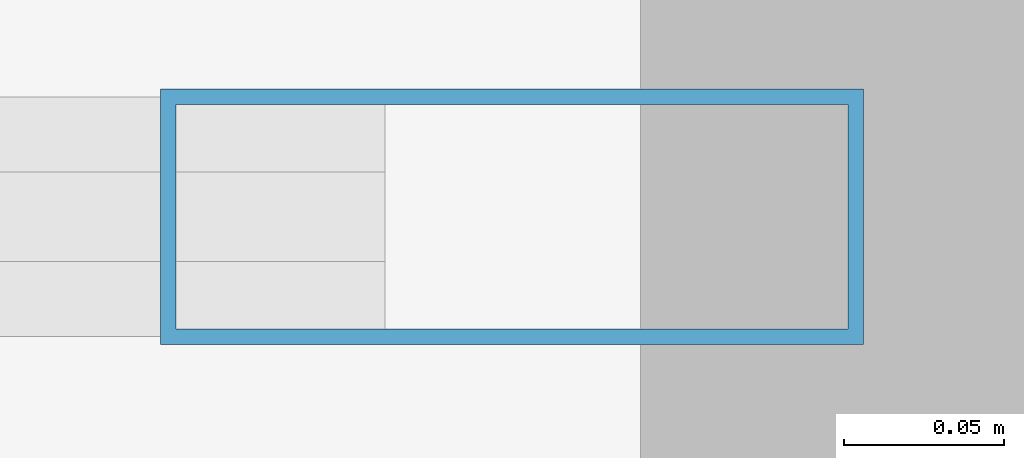
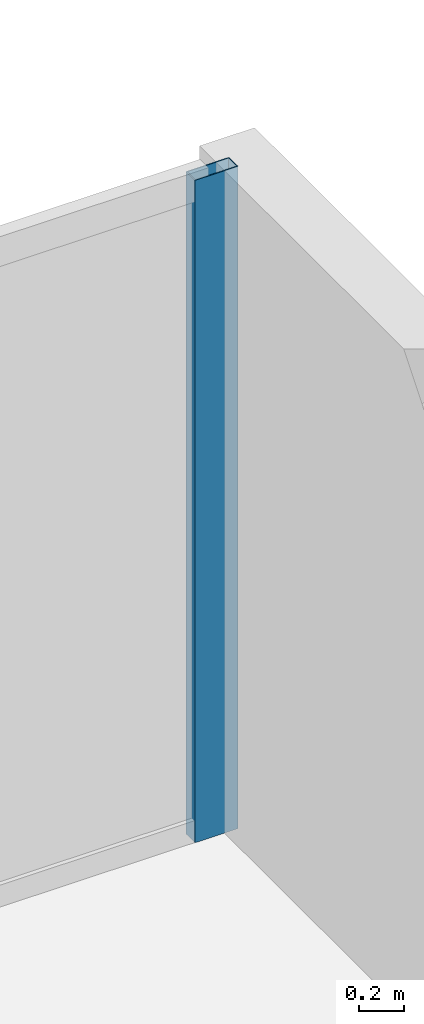
# One storey, part 14 of 24: 1 member, 1 element without a shape of its own.
"""IFC4 building model written with IfcOpenShell, lengths in metres."""

from ifc_helpers import new_model, si_unit, direction, frame, origin, origin_with_axes, origin_2d, place, context, subcontext, project, spatial, hollow_rectangle, extrude, source, transform, mapped, material, layer, layer_set, material_profile, profile_set, type_object, element, aggregate, save


model = new_model("IFC4")

# Units and contexts
model_context = context("Model", 3, precision=1e-05, world=origin(), true_north=direction((0.0, 1.0)))
body_context = subcontext(model_context, "Body", "Model", "MODEL_VIEW")
ifc_project = project(units=[si_unit("LENGTHUNIT", "METRE"), si_unit("AREAUNIT", "SQUARE_METRE"), si_unit("VOLUMEUNIT", "CUBIC_METRE"), si_unit("PLANEANGLEUNIT", "RADIAN"), si_unit("MASSUNIT", "GRAM", prefix="KILO")], contexts=[model_context])

# Site, building, storey
site_placement = place(None, origin())
site = spatial("IfcSite", under=ifc_project, at=site_placement, CompositionType="ELEMENT")
building_placement = place(site_placement, origin())
building = spatial("IfcBuilding", under=site, at=building_placement, Name="Kolvaren Waterfront Exchange", CompositionType="ELEMENT")
storey_placement = place(building_placement, frame((0.0, 0.0, 172.800048828125)))
storey = spatial("IfcBuildingStorey", under=building, at=storey_placement, Name="L44", CompositionType="ELEMENT", Elevation=172.800048828125)

# Curtain wall, member
ifc_material_1 = material(Name="Anodised bronze aluminium 6063-T6", Category="aluminium")
ifc_layer = layer(ifc_material_1, 0.219970703125, Name="Anodised bronze aluminium 6063-T6")
ifc_layer_set = layer_set([ifc_layer], Name="Anodised bronze aluminium 6063-T6")
curtain_wall_type = type_object("IfcCurtainWallType", Name="ARC-CW-SYS1", PredefinedType="USERDEFINED", material=ifc_layer_set)
curtain_wall_placement = place(storey_placement, origin())
curtain_wall = element("IfcCurtainWall", 1, at=curtain_wall_placement, inside=storey, type_object=curtain_wall_type, Name="L44 stick curtain wall CW1 (CW-L44-EN)", ObjectType="STICK CURTAIN WALL", PredefinedType="USERDEFINED")
ifc_material_2 = material(Name="Anodised aluminium 6063-T6", Category="aluminium")
ifc_material_profile = material_profile(ifc_material_2, hollow_rectangle(XDim=0.080078125, YDim=0.219970703125, WallThickness=0.0048828125, at=origin_2d()), Name="ALU-MUL-220x80x5")
ifc_profile_set = profile_set([ifc_material_profile], Name="Anodised aluminium 6063-T6")
member_type = type_object("IfcMemberType", Name="ARC-CWM-220", PredefinedType="MULLION", material=ifc_profile_set)
shared_shape = source(origin_with_axes(), body_context, "Body", "SweptSolid", [
    extrude(hollow_rectangle(XDim=0.080078125, YDim=0.219970703125, WallThickness=0.0048828125, at=origin_2d()), origin(), (0.0, 0.0, 1.0), 3.56005859375),
])
member_placement = place(storey_placement, frame((54.659912109375, 20.9599609375, 0.0), z_axis=(0.0, 0.0, 1.0), x_axis=(0.0, 1.0, 0.0)))
member = element("IfcMember", 2, at=member_placement, type_object=member_type, Name="CW1 mullion 5", PredefinedType="MULLION", context=body_context, shape_type="MappedRepresentation", body=[
    mapped(shared_shape, transform((0.0, 0.0, 0.0), x_axis=(1.0, 0.0, 0.0), y_axis=(0.0, 1.0, 0.0), z_axis=(0.0, 0.0, 1.0), scale=1.0)),
])
aggregate(curtain_wall, [member])

save(model, "model.ifc")
